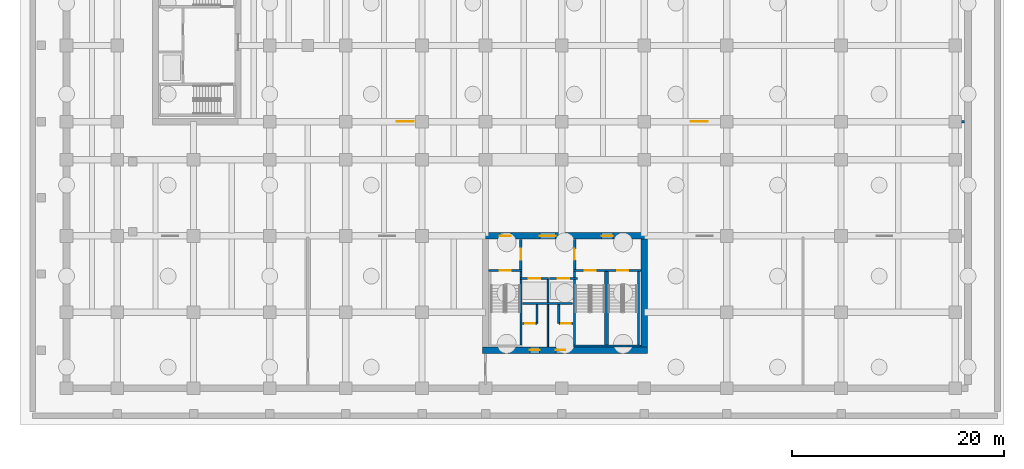
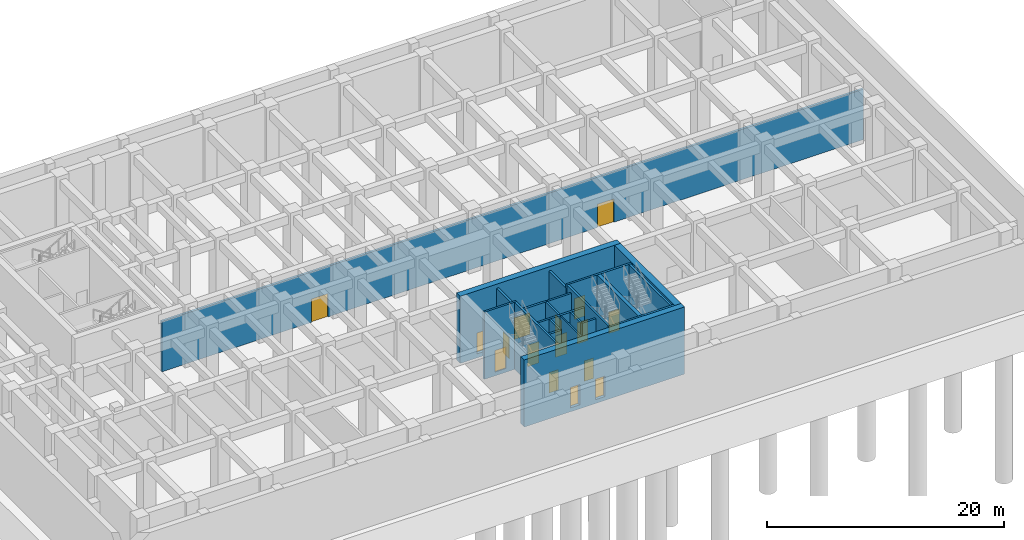
# One storey, part 6 of 13: 22 walls, 16 doors, 16 openings.
"""IFC4 building model written with IfcOpenShell, lengths in metres."""

from ifc_helpers import new_model, si_unit, derived_unit, direction, frame, frame_2d, origin, place, context, subcontext, project, spatial, rectangle, extrude, source, transform, mapped, material, layer, layer_set, type_object, type_shapes, element, fill, save


model = new_model("IFC4")

# Units and contexts
model_context = context("Model", 3, precision=1e-05, world=origin(), true_north=direction((0.0, 1.0)))
body_context = subcontext(model_context, "Body", "Model", "MODEL_VIEW")
ifc_project = project(units=[si_unit("LENGTHUNIT", "METRE"), si_unit("AREAUNIT", "SQUARE_METRE"), si_unit("VOLUMEUNIT", "CUBIC_METRE"), si_unit("PLANEANGLEUNIT", "RADIAN"), si_unit("MASSUNIT", "GRAM", prefix="KILO"), si_unit("THERMODYNAMICTEMPERATUREUNIT", "KELVIN"), si_unit("POWERUNIT", "WATT"), derived_unit("THERMALTRANSMITTANCEUNIT", [(si_unit("POWERUNIT", "WATT"), 1), (si_unit("AREAUNIT", "SQUARE_METRE"), -1), (si_unit("THERMODYNAMICTEMPERATUREUNIT", "KELVIN"), -1)])], contexts=[model_context])

# Site, building, storey
site_placement = place(None, origin())
site = spatial("IfcSite", under=ifc_project, at=site_placement, CompositionType="ELEMENT")
building_placement = place(site_placement, origin())
building = spatial("IfcBuilding", under=site, at=building_placement, Name="Zahravan Archway Hotel and Residences", CompositionType="ELEMENT")
storey_placement = place(building_placement, frame((0.0, 0.0, -13.0)))
storey = spatial("IfcBuildingStorey", under=building, at=storey_placement, Name="B02", CompositionType="ELEMENT", Elevation=-13.0)

# Wall, openings, doors
ifc_material_1 = material(Name="Concrete C70/85", Category="concrete")
ifc_layer_1 = layer(ifc_material_1, 0.60009765625, Name="Concrete C70/85", Category="concrete")
ifc_layer_set_1 = layer_set([ifc_layer_1], Name="Concrete C70/85")
wall_type_1 = type_object("IfcWallType", Name="CW-CORE-600", PredefinedType="SHEAR", material=ifc_layer_set_1)
wall_1_placement = place(storey_placement, frame((34.5, 3.60009765625, -0.39990234375), z_axis=(0.0, 0.0, 1.0), x_axis=(1.0, 0.0, 0.0)))
wall_1 = element("IfcWall", 1, at=wall_1_placement, inside=storey, type_object=wall_type_1, Name="B02 Core A Shear S Wall 600 mm", PredefinedType="SHEAR", context=body_context, shape_type="SweptSolid", body=[
    extrude(rectangle(XDim=15.60009765625, YDim=0.60009765625, at=frame_2d((7.800048828125, 0.0))), origin(), (0.0, 0.0, 1.0), 6.89990234375),
])
opening_1_placement = place(wall_1_placement, frame((4.5, 0.0, 0.39990234375)))
opening_1 = element("IfcOpeningElement", 2, at=opening_1_placement, cuts=wall_1, Name="Opening FD-R1", PredefinedType="OPENING", context=body_context, shape_type="SweptSolid", body=[
    extrude(rectangle(XDim=0.89990234375, YDim=2.10009765625, at=frame_2d((0.449951171875, 1.050048828125))), frame((0.0, 0.31005859375, 0.0), z_axis=(0.0, -1.0, 0.0), x_axis=(1.0, 0.0, 0.0)), (0.0, 0.0, 1.0), 0.6201171875),
])
opening_2_placement = place(wall_1_placement, frame((6.949951171875, 0.0, 0.39990234375)))
opening_2 = element("IfcOpeningElement", 3, at=opening_2_placement, cuts=wall_1, Name="Opening FD-R1", PredefinedType="OPENING", context=body_context, shape_type="SweptSolid", body=[
    extrude(rectangle(XDim=0.89990234375, YDim=2.10009765625, at=frame_2d((0.449951171875, 1.050048828125))), frame((0.0, 0.31005859375, 0.0), z_axis=(0.0, -1.0, 0.0), x_axis=(1.0, 0.0, 0.0)), (0.0, 0.0, 1.0), 0.6201171875),
])
ifc_material_2 = material(Name="Fire-Rated Painted Steel", Category="steel")
door_type_1 = type_object("IfcDoorType", Name="FD-RISER-900", OperationType="NOTDEFINED", PredefinedType="DOOR", material=ifc_material_2)
shared_shape_1 = source(origin(), body_context, "Body", "SweptSolid", [
    extrude(rectangle(XDim=0.89990234375, YDim=2.10009765625, at=frame_2d((0.449951171875, 1.050048828125))), frame((0.0, 0.02490234375, 0.0), z_axis=(0.0, -1.0, 0.0), x_axis=(1.0, 0.0, 0.0)), (0.0, 0.0, 1.0), 0.050048828125),
])
type_shapes(door_type_1, [shared_shape_1])
door_1_placement = place(opening_1_placement, origin())
door_1 = element("IfcDoor", 4, at=door_1_placement, inside=storey, type_object=door_type_1, Name="B02 Electrical Switchgear Door", OperationType="SINGLE_SWING_LEFT", OverallHeight=2.10009765625, OverallWidth=0.89990234375, PredefinedType="DOOR", context=body_context, shape_type="MappedRepresentation", body=[
    mapped(shared_shape_1, transform((0.0, 0.0, 0.0), scale=1.0)),
])
fill(opening_1, door_1)
door_2_placement = place(opening_2_placement, origin())
door_2 = element("IfcDoor", 5, at=door_2_placement, inside=storey, type_object=door_type_1, Name="B02 Telecom BMS Door", OperationType="SINGLE_SWING_RIGHT", OverallHeight=2.10009765625, OverallWidth=0.89990234375, PredefinedType="DOOR", context=body_context, shape_type="MappedRepresentation", body=[
    mapped(shared_shape_1, transform((0.0, 0.0, 0.0), scale=1.0)),
])
fill(opening_2, door_2)

wall_2_placement = place(storey_placement, frame((34.5, 14.39990234375, -0.39990234375), z_axis=(0.0, 0.0, 1.0), x_axis=(1.0, 0.0, 0.0)))
wall_2 = element("IfcWall", 6, at=wall_2_placement, inside=storey, type_object=wall_type_1, Name="B02 Core A Shear N Wall 600 mm", PredefinedType="SHEAR", context=body_context, shape_type="SweptSolid", body=[
    extrude(rectangle(XDim=15.60009765625, YDim=0.60009765625, at=frame_2d((7.800048828125, 0.0))), origin(), (0.0, 0.0, 1.0), 6.89990234375),
])
opening_3_placement = place(wall_2_placement, frame((5.429931640625, 0.0, 0.39990234375)))
opening_3 = element("IfcOpeningElement", 7, at=opening_3_placement, cuts=wall_2, Name="Opening FD-L1", PredefinedType="OPENING", context=body_context, shape_type="SweptSolid", body=[
    extrude(rectangle(XDim=1.5, YDim=2.199951171875, at=frame_2d((0.75, 1.10009765625))), frame((0.0, 0.31005859375, 0.0), z_axis=(0.0, -1.0, 0.0), x_axis=(1.0, 0.0, 0.0)), (0.0, 0.0, 1.0), 0.6201171875),
])
opening_4_placement = place(wall_2_placement, frame((1.64501953125, 0.0, 0.39990234375)))
opening_4 = element("IfcOpeningElement", 8, at=opening_4_placement, cuts=wall_2, Name="Opening FD-L2", PredefinedType="OPENING", context=body_context, shape_type="SweptSolid", body=[
    extrude(rectangle(XDim=1.050048828125, YDim=2.14990234375, at=frame_2d((0.52490234375, 1.074951171875))), frame((0.0, 0.31005859375, 0.0), z_axis=(0.0, -1.0, 0.0), x_axis=(1.0, 0.0, 0.0)), (0.0, 0.0, 1.0), 0.6201171875),
])
opening_5_placement = place(wall_2_placement, frame((11.27490234375, 0.0, 0.39990234375)))
opening_5 = element("IfcOpeningElement", 9, at=opening_5_placement, cuts=wall_2, Name="Opening FD-L2", PredefinedType="OPENING", context=body_context, shape_type="SweptSolid", body=[
    extrude(rectangle(XDim=1.050048828125, YDim=2.14990234375, at=frame_2d((0.52490234375, 1.074951171875))), frame((0.0, 0.31005859375, 0.0), z_axis=(0.0, -1.0, 0.0), x_axis=(1.0, 0.0, 0.0)), (0.0, 0.0, 1.0), 0.6201171875),
])
door_type_2 = type_object("IfcDoorType", Name="FD-LOBBY-1100", OperationType="NOTDEFINED", PredefinedType="DOOR", material=ifc_material_2)
shared_shape_2 = source(origin(), body_context, "Body", "SweptSolid", [
    extrude(rectangle(XDim=1.050048828125, YDim=2.14990234375, at=frame_2d((0.52490234375, 1.074951171875))), frame((0.0, 0.02490234375, 0.0), z_axis=(0.0, -1.0, 0.0), x_axis=(1.0, 0.0, 0.0)), (0.0, 0.0, 1.0), 0.050048828125),
])
type_shapes(door_type_2, [shared_shape_2])
door_3_placement = place(opening_4_placement, origin())
door_3 = element("IfcDoor", 10, at=door_3_placement, inside=storey, type_object=door_type_2, Name="B02 Core A West Stair Lobby Door", OperationType="SINGLE_SWING_LEFT", OverallHeight=2.14990234375, OverallWidth=1.050048828125, PredefinedType="DOOR", context=body_context, shape_type="MappedRepresentation", body=[
    mapped(shared_shape_2, transform((0.0, 0.0, 0.0), scale=1.0)),
])
fill(opening_4, door_3)
door_4_placement = place(opening_5_placement, origin())
door_4 = element("IfcDoor", 11, at=door_4_placement, inside=storey, type_object=door_type_2, Name="B02 Core A East Stair Lobby Door", OperationType="SINGLE_SWING_RIGHT", OverallHeight=2.14990234375, OverallWidth=1.050048828125, PredefinedType="DOOR", context=body_context, shape_type="MappedRepresentation", body=[
    mapped(shared_shape_2, transform((0.0, 0.0, 0.0), scale=1.0)),
])
fill(opening_5, door_4)
door_type_3 = type_object("IfcDoorType", Name="FD-LOBBY-1500", OperationType="DOUBLE_DOOR_SINGLE_SWING", PredefinedType="DOOR", material=ifc_material_2)
shared_shape_3 = source(origin(), body_context, "Body", "SweptSolid", [
    extrude(rectangle(XDim=1.5, YDim=2.199951171875, at=frame_2d((0.75, 1.10009765625))), frame((0.0, 0.02490234375, 0.0), z_axis=(0.0, -1.0, 0.0), x_axis=(1.0, 0.0, 0.0)), (0.0, 0.0, 1.0), 0.050048828125),
])
type_shapes(door_type_3, [shared_shape_3])
door_5_placement = place(opening_3_placement, origin())
door_5 = element("IfcDoor", 12, at=door_5_placement, inside=storey, type_object=door_type_3, Name="B02 Core A FSAE Lobby Main Door", OperationType="DOUBLE_DOOR_SINGLE_SWING", OverallHeight=2.199951171875, OverallWidth=1.5, PredefinedType="DOOR", context=body_context, shape_type="MappedRepresentation", body=[
    mapped(shared_shape_3, transform((0.0, 0.0, 0.0), scale=1.0)),
])
fill(opening_3, door_5)

# Wall
wall_3_placement = place(storey_placement, frame((49.800048828125, 3.89990234375, -0.39990234375), z_axis=(0.0, 0.0, 1.0), x_axis=(0.0, 1.0, 0.0)))
element("IfcWall", 13, at=wall_3_placement, inside=storey, type_object=wall_type_1, Name="B02 Core A Shear E Wall 600 mm", PredefinedType="SHEAR", context=body_context, shape_type="SweptSolid", body=[
    extrude(rectangle(XDim=10.2001953125, YDim=0.60009765625, at=frame_2d((5.10009765625, 0.0))), origin(), (0.0, 0.0, 1.0), 6.89990234375),
])

# Wall, opening, door
ifc_material_3 = material(Name="Fire-Rated Gypsum & Concrete Block", Category="concrete")
ifc_layer_2 = layer(ifc_material_3, 0.219970703125, Name="Fire-Rated Gypsum & Concrete Block", Category="concrete")
ifc_layer_set_2 = layer_set([ifc_layer_2], Name="Fire-Rated Gypsum & Concrete Block")
wall_type_2 = type_object("IfcWallType", Name="PW-COMP-220", PredefinedType="PARTITIONING", material=ifc_layer_set_2)
wall_4_placement = place(storey_placement, frame((38.139892578125, 11.219970703125, 0.0), z_axis=(0.0, 0.0, 1.0), x_axis=(0.0, 1.0, 0.0)))
wall_4 = element("IfcWall", 14, at=wall_4_placement, inside=storey, type_object=wall_type_2, Name="B02 Partition CA-LOBW", PredefinedType="PARTITIONING", context=body_context, shape_type="SweptSolid", body=[
    extrude(rectangle(XDim=2.860107421875, YDim=0.219970703125, at=frame_2d((1.43017578125, 0.0))), origin(), (0.0, 0.0, 1.0), 6.10009765625),
])
opening_6_placement = place(wall_4_placement, frame((0.905029296875, 0.0, 0.0)))
opening_6 = element("IfcOpeningElement", 15, at=opening_6_placement, cuts=wall_4, Name="Opening FD-L2", PredefinedType="OPENING", context=body_context, shape_type="SweptSolid", body=[
    extrude(rectangle(XDim=1.050048828125, YDim=2.14990234375, at=frame_2d((0.52490234375, 1.074951171875))), frame((0.0, 0.1201171875, 0.0), z_axis=(0.0, -1.0, 0.0), x_axis=(1.0, 0.0, 0.0)), (0.0, 0.0, 1.0), 0.239990234375),
])
door_6_placement = place(opening_6_placement, origin())
door_6 = element("IfcDoor", 16, at=door_6_placement, inside=storey, type_object=door_type_2, Name="B02 Core A West Stair to FSAE Lobby Door", OperationType="SINGLE_SWING_LEFT", OverallHeight=2.14990234375, OverallWidth=1.050048828125, PredefinedType="DOOR", context=body_context, shape_type="MappedRepresentation", body=[
    mapped(shared_shape_2, transform((0.0, 0.0, 0.0), scale=1.0)),
])
fill(opening_6, door_6)

wall_5_placement = place(storey_placement, frame((43.219970703125, 11.219970703125, 0.0), z_axis=(0.0, 0.0, 1.0), x_axis=(0.0, 1.0, 0.0)))
wall_5 = element("IfcWall", 17, at=wall_5_placement, inside=storey, type_object=wall_type_2, Name="B02 Partition CA-LOBE", PredefinedType="PARTITIONING", context=body_context, shape_type="SweptSolid", body=[
    extrude(rectangle(XDim=2.860107421875, YDim=0.219970703125, at=frame_2d((1.43017578125, 0.0))), origin(), (0.0, 0.0, 1.0), 6.10009765625),
])
opening_7_placement = place(wall_5_placement, frame((0.905029296875, 0.0, 0.0)))
opening_7 = element("IfcOpeningElement", 18, at=opening_7_placement, cuts=wall_5, Name="Opening FD-L2", PredefinedType="OPENING", context=body_context, shape_type="SweptSolid", body=[
    extrude(rectangle(XDim=1.050048828125, YDim=2.14990234375, at=frame_2d((0.52490234375, 1.074951171875))), frame((0.0, 0.1201171875, 0.0), z_axis=(0.0, -1.0, 0.0), x_axis=(1.0, 0.0, 0.0)), (0.0, 0.0, 1.0), 0.239990234375),
])
door_7_placement = place(opening_7_placement, origin())
door_7 = element("IfcDoor", 19, at=door_7_placement, inside=storey, type_object=door_type_2, Name="B02 Core A East Stair to FSAE Lobby Door", OperationType="SINGLE_SWING_RIGHT", OverallHeight=2.14990234375, OverallWidth=1.050048828125, PredefinedType="DOOR", context=body_context, shape_type="MappedRepresentation", body=[
    mapped(shared_shape_2, transform((0.0, 0.0, 0.0), scale=1.0)),
])
fill(opening_7, door_7)

# Wall, openings, doors
wall_6_placement = place(storey_placement, frame((11.840087890625, 25.199951171875, 0.0), z_axis=(0.0, 0.0, 1.0), x_axis=(1.0, 0.0, 0.0)))
wall_6 = element("IfcWall", 20, at=wall_6_placement, inside=storey, type_object=wall_type_2, Name="B02 Partition B2-PLAT", PredefinedType="PARTITIONING", context=body_context, shape_type="SweptSolid", body=[
    extrude(rectangle(XDim=68.226806640625, YDim=0.219970703125, at=frame_2d((34.11328125, 0.0))), origin(), (0.0, 0.0, 1.0), 5.18505859375),
])
opening_8_placement = place(wall_6_placement, frame((14.564697265625, 0.0, 0.0)))
opening_8 = element("IfcOpeningElement", 21, at=opening_8_placement, cuts=wall_6, Name="Opening D-P2", PredefinedType="OPENING", context=body_context, shape_type="SweptSolid", body=[
    extrude(rectangle(XDim=1.60009765625, YDim=2.39990234375, at=frame_2d((0.800048828125, 1.199951171875))), frame((0.0, 0.1201171875, 0.0), z_axis=(0.0, -1.0, 0.0), x_axis=(1.0, 0.0, 0.0)), (0.0, 0.0, 1.0), 0.239990234375),
])
opening_9_placement = place(wall_6_placement, frame((42.360107421875, 0.0, 0.0)))
opening_9 = element("IfcOpeningElement", 22, at=opening_9_placement, cuts=wall_6, Name="Opening D-P2", PredefinedType="OPENING", context=body_context, shape_type="SweptSolid", body=[
    extrude(rectangle(XDim=1.60009765625, YDim=2.39990234375, at=frame_2d((0.800048828125, 1.199951171875))), frame((0.0, 0.1201171875, 0.0), z_axis=(0.0, -1.0, 0.0), x_axis=(1.0, 0.0, 0.0)), (0.0, 0.0, 1.0), 0.239990234375),
])
ifc_material_4 = material(Name="Bronze-Anodized Glazed Aluminium", Category="aluminium")
door_type_4 = type_object("IfcDoorType", Name="ID-PUBLIC-1600", OperationType="DOUBLE_DOOR_SINGLE_SWING", PredefinedType="DOOR", material=ifc_material_4)
shared_shape_4 = source(origin(), body_context, "Body", "SweptSolid", [
    extrude(rectangle(XDim=1.60009765625, YDim=2.39990234375, at=frame_2d((0.800048828125, 1.199951171875))), frame((0.0, 0.02490234375, 0.0), z_axis=(0.0, -1.0, 0.0), x_axis=(1.0, 0.0, 0.0)), (0.0, 0.0, 1.0), 0.050048828125),
])
type_shapes(door_type_4, [shared_shape_4])
door_8_placement = place(opening_8_placement, origin())
door_8 = element("IfcDoor", 23, at=door_8_placement, inside=storey, type_object=door_type_4, Name="B02 Metro Platform West Doors", OperationType="DOUBLE_DOOR_SINGLE_SWING", OverallHeight=2.39990234375, OverallWidth=1.60009765625, PredefinedType="DOOR", context=body_context, shape_type="MappedRepresentation", body=[
    mapped(shared_shape_4, transform((0.0, 0.0, 0.0), scale=1.0)),
])
fill(opening_8, door_8)
door_9_placement = place(opening_9_placement, origin())
door_9 = element("IfcDoor", 24, at=door_9_placement, inside=storey, type_object=door_type_4, Name="B02 Metro Platform East Doors", OperationType="DOUBLE_DOOR_SINGLE_SWING", OverallHeight=2.39990234375, OverallWidth=1.60009765625, PredefinedType="DOOR", context=body_context, shape_type="MappedRepresentation", body=[
    mapped(shared_shape_4, transform((0.0, 0.0, 0.0), scale=1.0)),
])
fill(opening_9, door_9)

# Walls
ifc_layer_3 = layer(ifc_material_3, 0.199951171875, Name="Fire-Rated Gypsum & Concrete Block", Category="concrete")
ifc_layer_set_3 = layer_set([ifc_layer_3], Name="Fire-Rated Gypsum & Concrete Block")
wall_type_3 = type_object("IfcWallType", Name="PW-SHAFT-200", PredefinedType="PARTITIONING", material=ifc_layer_set_3)
wall_7_placement = place(storey_placement, frame((38.300048828125, 8.030029296875, 0.0), z_axis=(0.0, 0.0, 1.0), x_axis=(1.0, 0.0, 0.0)))
element("IfcWall", 25, at=wall_7_placement, inside=storey, type_object=wall_type_3, Name="B02 Partition CA-FLS", PredefinedType="PARTITIONING", context=body_context, shape_type="SweptSolid", body=[
    extrude(rectangle(XDim=4.739990234375, YDim=0.199951171875, at=frame_2d((2.3701171875, 0.0))), origin(), (0.0, 0.0, 1.0), 6.10009765625),
])
wall_8_placement = place(storey_placement, frame((40.699951171875, 8.1201171875, 0.0), z_axis=(0.0, 0.0, 1.0), x_axis=(0.0, 1.0, 0.0)))
element("IfcWall", 26, at=wall_8_placement, inside=storey, type_object=wall_type_3, Name="B02 Partition CA-FLM", PredefinedType="PARTITIONING", context=body_context, shape_type="SweptSolid", body=[
    extrude(rectangle(XDim=2.179931640625, YDim=0.199951171875, at=frame_2d((1.08984375, 0.0))), origin(), (0.0, 0.0, 1.0), 6.10009765625),
])

# Wall, opening, door
wall_9_placement = place(storey_placement, frame((38.2900390625, 6.1201171875, 0.0), z_axis=(0.0, 0.0, 1.0), x_axis=(1.0, 0.0, 0.0)))
wall_9 = element("IfcWall", 27, at=wall_9_placement, inside=storey, type_object=wall_type_3, Name="B02 Partition CA-SMKS", PredefinedType="PARTITIONING", context=body_context, shape_type="SweptSolid", body=[
    extrude(rectangle(XDim=1.3798828125, YDim=0.199951171875, at=frame_2d((0.68994140625, 0.0))), origin(), (0.0, 0.0, 1.0), 6.10009765625),
])
opening_10_placement = place(wall_9_placement, frame((0.239990234375, 0.0, 0.0)))
opening_10 = element("IfcOpeningElement", 28, at=opening_10_placement, cuts=wall_9, Name="Opening FD-R1", PredefinedType="OPENING", context=body_context, shape_type="SweptSolid", body=[
    extrude(rectangle(XDim=0.89990234375, YDim=2.10009765625, at=frame_2d((0.449951171875, 1.050048828125))), frame((0.0, 0.10986328125, 0.0), z_axis=(0.0, -1.0, 0.0), x_axis=(1.0, 0.0, 0.0)), (0.0, 0.0, 1.0), 0.219970703125),
])
door_10_placement = place(opening_10_placement, origin())
door_10 = element("IfcDoor", 29, at=door_10_placement, inside=storey, type_object=door_type_1, Name="B02 Smoke Riser Access Door", OperationType="SINGLE_SWING_LEFT", OverallHeight=2.10009765625, OverallWidth=0.89990234375, PredefinedType="DOOR", context=body_context, shape_type="MappedRepresentation", body=[
    mapped(shared_shape_1, transform((0.0, 0.0, 0.0), scale=1.0)),
])
fill(opening_10, door_10)

# Wall
wall_10_placement = place(storey_placement, frame((39.679931640625, 6.1298828125, 0.0), z_axis=(0.0, 0.0, 1.0), x_axis=(0.0, 1.0, 0.0)))
element("IfcWall", 30, at=wall_10_placement, inside=storey, type_object=wall_type_3, Name="B02 Partition CA-SMKE", PredefinedType="PARTITIONING", context=body_context, shape_type="SweptSolid", body=[
    extrude(rectangle(XDim=1.7900390625, YDim=0.199951171875, at=frame_2d((0.89501953125, 0.0))), origin(), (0.0, 0.0, 1.0), 6.10009765625),
])

# Wall, opening, door
wall_11_placement = place(storey_placement, frame((41.72998046875, 6.1201171875, 0.0), z_axis=(0.0, 0.0, 1.0), x_axis=(1.0, 0.0, 0.0)))
wall_11 = element("IfcWall", 31, at=wall_11_placement, inside=storey, type_object=wall_type_3, Name="B02 Partition CA-MEPS", PredefinedType="PARTITIONING", context=body_context, shape_type="SweptSolid", body=[
    extrude(rectangle(XDim=1.320068359375, YDim=0.199951171875, at=frame_2d((0.66015625, 0.0))), origin(), (0.0, 0.0, 1.0), 6.10009765625),
])
opening_11_placement = place(wall_11_placement, frame((0.219970703125, 0.0, 0.0)))
opening_11 = element("IfcOpeningElement", 32, at=opening_11_placement, cuts=wall_11, Name="Opening FD-R1", PredefinedType="OPENING", context=body_context, shape_type="SweptSolid", body=[
    extrude(rectangle(XDim=0.89990234375, YDim=2.10009765625, at=frame_2d((0.449951171875, 1.050048828125))), frame((0.0, 0.10986328125, 0.0), z_axis=(0.0, -1.0, 0.0), x_axis=(1.0, 0.0, 0.0)), (0.0, 0.0, 1.0), 0.219970703125),
])
door_11_placement = place(opening_11_placement, origin())
door_11 = element("IfcDoor", 33, at=door_11_placement, inside=storey, type_object=door_type_1, Name="B02 MEP Riser Access Door", OperationType="SINGLE_SWING_RIGHT", OverallHeight=2.10009765625, OverallWidth=0.89990234375, PredefinedType="DOOR", context=body_context, shape_type="MappedRepresentation", body=[
    mapped(shared_shape_1, transform((0.0, 0.0, 0.0), scale=1.0)),
])
fill(opening_11, door_11)

# Wall
wall_12_placement = place(storey_placement, frame((41.719970703125, 6.1298828125, 0.0), z_axis=(0.0, 0.0, 1.0), x_axis=(0.0, 1.0, 0.0)))
element("IfcWall", 34, at=wall_12_placement, inside=storey, type_object=wall_type_3, Name="B02 Partition CA-MEPW", PredefinedType="PARTITIONING", context=body_context, shape_type="SweptSolid", body=[
    extrude(rectangle(XDim=1.7900390625, YDim=0.199951171875, at=frame_2d((0.89501953125, 0.0))), origin(), (0.0, 0.0, 1.0), 6.10009765625),
])

# Wall, opening, door
wall_13_placement = place(storey_placement, frame((38.1201171875, 10.3701171875, 0.0), z_axis=(0.0, 0.0, 1.0), x_axis=(1.0, 0.0, 0.0)))
wall_13 = element("IfcWall", 35, at=wall_13_placement, inside=storey, type_object=wall_type_3, Name="B02 Lift FL-1 Front Wall", PredefinedType="PARTITIONING", context=body_context, shape_type="SweptSolid", body=[
    extrude(rectangle(XDim=2.639892578125, YDim=0.199951171875, at=frame_2d((1.31982421875, 0.0))), origin(), (0.0, 0.0, 1.0), 6.10009765625),
])
opening_12_placement = place(wall_13_placement, frame((0.77001953125, 0.0, 0.0)))
opening_12 = element("IfcOpeningElement", 36, at=opening_12_placement, cuts=wall_13, Name="Opening LD", PredefinedType="OPENING", context=body_context, shape_type="SweptSolid", body=[
    extrude(rectangle(XDim=1.10009765625, YDim=2.199951171875, at=frame_2d((0.550048828125, 1.10009765625))), frame((0.0, 0.10986328125, 0.0), z_axis=(0.0, -1.0, 0.0), x_axis=(1.0, 0.0, 0.0)), (0.0, 0.0, 1.0), 0.219970703125),
])
ifc_material_5 = material(Name="Brushed Stainless Steel", Category="steel")
door_type_5 = type_object("IfcDoorType", Name="DR-LIFT-LD", OperationType="SLIDING_TO_LEFT", PredefinedType="DOOR", material=ifc_material_5)
shared_shape_5 = source(origin(), body_context, "Body", "SweptSolid", [
    extrude(rectangle(XDim=1.10009765625, YDim=2.199951171875, at=frame_2d((0.550048828125, 1.10009765625))), frame((0.0, 0.02490234375, 0.0), z_axis=(0.0, -1.0, 0.0), x_axis=(1.0, 0.0, 0.0)), (0.0, 0.0, 1.0), 0.050048828125),
])
type_shapes(door_type_5, [shared_shape_5])
door_12_placement = place(opening_12_placement, origin())
door_12 = element("IfcDoor", 37, at=door_12_placement, inside=storey, type_object=door_type_5, Name="B02 Lift FL-1 Sliding Landing Door", OperationType="SLIDING_TO_LEFT", OverallHeight=2.199951171875, OverallWidth=1.10009765625, PredefinedType="DOOR", context=body_context, shape_type="MappedRepresentation", body=[
    mapped(shared_shape_5, transform((0.0, 0.0, 0.0), scale=1.0)),
])
fill(opening_12, door_12)

wall_14_placement = place(storey_placement, frame((40.840087890625, 10.3701171875, 0.0), z_axis=(0.0, 0.0, 1.0), x_axis=(1.0, 0.0, 0.0)))
wall_14 = element("IfcWall", 38, at=wall_14_placement, inside=storey, type_object=wall_type_3, Name="B02 Lift FL-2 Front Wall", PredefinedType="PARTITIONING", context=body_context, shape_type="SweptSolid", body=[
    extrude(rectangle(XDim=2.639892578125, YDim=0.199951171875, at=frame_2d((1.31982421875, 0.0))), origin(), (0.0, 0.0, 1.0), 6.10009765625),
])
opening_13_placement = place(wall_14_placement, frame((0.77001953125, 0.0, 0.0)))
opening_13 = element("IfcOpeningElement", 39, at=opening_13_placement, cuts=wall_14, Name="Opening LD", PredefinedType="OPENING", context=body_context, shape_type="SweptSolid", body=[
    extrude(rectangle(XDim=1.10009765625, YDim=2.199951171875, at=frame_2d((0.550048828125, 1.10009765625))), frame((0.0, 0.10986328125, 0.0), z_axis=(0.0, -1.0, 0.0), x_axis=(1.0, 0.0, 0.0)), (0.0, 0.0, 1.0), 0.219970703125),
])
door_13_placement = place(opening_13_placement, origin())
door_13 = element("IfcDoor", 40, at=door_13_placement, inside=storey, type_object=door_type_5, Name="B02 Lift FL-2 Sliding Landing Door", OperationType="SLIDING_TO_LEFT", OverallHeight=2.199951171875, OverallWidth=1.10009765625, PredefinedType="DOOR", context=body_context, shape_type="MappedRepresentation", body=[
    mapped(shared_shape_5, transform((0.0, 0.0, 0.0), scale=1.0)),
])
fill(opening_13, door_13)

# Walls
ifc_material_6 = material(Name="Moisture-Resistant Blockwork", Category="masonry")
ifc_layer_4 = layer(ifc_material_6, 0.139892578125, Name="Moisture-Resistant Blockwork", Category="masonry")
ifc_layer_set_4 = layer_set([ifc_layer_4], Name="Moisture-Resistant Blockwork")
wall_type_4 = type_object("IfcWallType", Name="PW-WET-140", PredefinedType="PARTITIONING", material=ifc_layer_set_4)
wall_15_placement = place(storey_placement, frame((40.699951171875, 3.919921875, 0.0), z_axis=(0.0, 0.0, 1.0), x_axis=(0.0, 1.0, 0.0)))
element("IfcWall", 41, at=wall_15_placement, inside=storey, type_object=wall_type_4, Name="B02 Partition CA-CV0", PredefinedType="PARTITIONING", context=body_context, shape_type="SweptSolid", body=[
    extrude(rectangle(XDim=3.989990234375, YDim=0.139892578125, at=frame_2d((1.9951171875, 0.0))), origin(), (0.0, 0.0, 1.0), 6.10009765625),
])
ifc_material_7 = material(Name="Concrete C50/60", Category="concrete")
ifc_layer_5 = layer(ifc_material_7, 0.199951171875, Name="Concrete C50/60", Category="concrete")
ifc_layer_set_5 = layer_set([ifc_layer_5], Name="Concrete C50/60")
wall_type_5 = type_object("IfcWallType", Name="SW-STAIR-200", PredefinedType="SHEAR", material=ifc_layer_set_5)
wall_16_placement = place(storey_placement, frame((38.139892578125, 4.10009765625, -0.39990234375), z_axis=(0.0, 0.0, 1.0), x_axis=(0.0, 1.0, 0.0)))
element("IfcWall", 42, at=wall_16_placement, inside=storey, type_object=wall_type_5, Name="B02 Stairwell RC Wall CA-SA1E", PredefinedType="SHEAR", context=body_context, shape_type="SweptSolid", body=[
    extrude(rectangle(XDim=6.949951171875, YDim=0.199951171875, at=frame_2d((3.47509765625, 0.0))), origin(), (0.0, 0.0, 1.0), 6.89990234375),
])

# Wall, opening, door
wall_17_placement = place(storey_placement, frame((35.10009765625, 11.14990234375, -0.39990234375), z_axis=(0.0, 0.0, 1.0), x_axis=(1.0, 0.0, 0.0)))
wall_17 = element("IfcWall", 43, at=wall_17_placement, inside=storey, type_object=wall_type_5, Name="B02 Stairwell RC Wall CA-SA1N", PredefinedType="SHEAR", context=body_context, shape_type="SweptSolid", body=[
    extrude(rectangle(XDim=3.139892578125, YDim=0.199951171875, at=frame_2d((1.56982421875, 0.0))), origin(), (0.0, 0.0, 1.0), 6.89990234375),
])
opening_14_placement = place(wall_17_placement, frame((1.044921875, 0.0, 0.39990234375)))
opening_14 = element("IfcOpeningElement", 44, at=opening_14_placement, cuts=wall_17, Name="Opening FD-S1", PredefinedType="OPENING", context=body_context, shape_type="SweptSolid", body=[
    extrude(rectangle(XDim=1.050048828125, YDim=2.199951171875, at=frame_2d((0.52490234375, 1.10009765625))), frame((0.0, 0.10986328125, 0.0), z_axis=(0.0, -1.0, 0.0), x_axis=(1.0, 0.0, 0.0)), (0.0, 0.0, 1.0), 0.219970703125),
])
door_type_6 = type_object("IfcDoorType", Name="FD-STAIR-1100", OperationType="NOTDEFINED", PredefinedType="DOOR", material=ifc_material_2)
shared_shape_6 = source(origin(), body_context, "Body", "SweptSolid", [
    extrude(rectangle(XDim=1.050048828125, YDim=2.199951171875, at=frame_2d((0.52490234375, 1.10009765625))), frame((0.0, 0.02490234375, 0.0), z_axis=(0.0, -1.0, 0.0), x_axis=(1.0, 0.0, 0.0)), (0.0, 0.0, 1.0), 0.050048828125),
])
type_shapes(door_type_6, [shared_shape_6])
door_14_placement = place(opening_14_placement, origin())
door_14 = element("IfcDoor", 45, at=door_14_placement, inside=storey, type_object=door_type_6, Name="B02 Stair ST-A1 Door", OperationType="SINGLE_SWING_RIGHT", OverallHeight=2.199951171875, OverallWidth=1.050048828125, PredefinedType="DOOR", context=body_context, shape_type="MappedRepresentation", body=[
    mapped(shared_shape_6, transform((0.0, 0.0, 0.0), scale=1.0)),
])
fill(opening_14, door_14)

# Walls
wall_18_placement = place(storey_placement, frame((43.1201171875, 4.0, -0.39990234375), z_axis=(0.0, 0.0, 1.0), x_axis=(1.0, 0.0, 0.0)))
element("IfcWall", 46, at=wall_18_placement, inside=storey, type_object=wall_type_5, Name="B02 Stairwell RC Wall CA-SA23S", PredefinedType="SHEAR", context=body_context, shape_type="SweptSolid", body=[
    extrude(rectangle(XDim=6.3798828125, YDim=0.199951171875, at=frame_2d((3.18994140625, 0.0))), origin(), (0.0, 0.0, 1.0), 6.89990234375),
])
for number, where, z_axis, x_axis, name in (
    (47, (43.219970703125, 4.10009765625, -0.39990234375), (0.0, 0.0, 1.0), (0.0, 1.0, 0.0), "B02 Stairwell RC Wall CA-SA2W"),
    (48, (49.239990234375, 4.10009765625, -0.39990234375), (0.0, 0.0, 1.0), (0.0, 1.0, 0.0), "B02 Stairwell RC Wall CA-SA3E"),
):
    element("IfcWall", number, at=place(storey_placement, frame(where, z_axis=z_axis, x_axis=x_axis)), inside=storey, type_object=wall_type_5, Name=name, PredefinedType="SHEAR", context=body_context, shape_type="SweptSolid", body=[
        extrude(rectangle(XDim=6.949951171875, YDim=0.199951171875, at=frame_2d((3.47509765625, 0.0))), origin(), (0.0, 0.0, 1.0), 6.89990234375),
    ])

# Wall, openings, doors
wall_19_placement = place(storey_placement, frame((43.1201171875, 11.14990234375, -0.39990234375), z_axis=(0.0, 0.0, 1.0), x_axis=(1.0, 0.0, 0.0)))
wall_19 = element("IfcWall", 49, at=wall_19_placement, inside=storey, type_object=wall_type_5, Name="B02 Stairwell RC Wall CA-SA23N", PredefinedType="SHEAR", context=body_context, shape_type="SweptSolid", body=[
    extrude(rectangle(XDim=6.3798828125, YDim=0.199951171875, at=frame_2d((3.18994140625, 0.0))), origin(), (0.0, 0.0, 1.0), 6.89990234375),
])
opening_15_placement = place(wall_19_placement, frame((1.044921875, 0.0, 0.39990234375)))
opening_15 = element("IfcOpeningElement", 50, at=opening_15_placement, cuts=wall_19, Name="Opening FD-S1", PredefinedType="OPENING", context=body_context, shape_type="SweptSolid", body=[
    extrude(rectangle(XDim=1.050048828125, YDim=2.199951171875, at=frame_2d((0.52490234375, 1.10009765625))), frame((0.0, 0.10986328125, 0.0), z_axis=(0.0, -1.0, 0.0), x_axis=(1.0, 0.0, 0.0)), (0.0, 0.0, 1.0), 0.219970703125),
])
opening_16_placement = place(wall_19_placement, frame((4.125, 0.0, 0.39990234375)))
opening_16 = element("IfcOpeningElement", 51, at=opening_16_placement, cuts=wall_19, Name="Opening FD-S1", PredefinedType="OPENING", context=body_context, shape_type="SweptSolid", body=[
    extrude(rectangle(XDim=1.050048828125, YDim=2.199951171875, at=frame_2d((0.52490234375, 1.10009765625))), frame((0.0, 0.10986328125, 0.0), z_axis=(0.0, -1.0, 0.0), x_axis=(1.0, 0.0, 0.0)), (0.0, 0.0, 1.0), 0.219970703125),
])
door_15_placement = place(opening_15_placement, origin())
door_15 = element("IfcDoor", 52, at=door_15_placement, inside=storey, type_object=door_type_6, Name="B02 Stair ST-A2 Door", OperationType="SINGLE_SWING_LEFT", OverallHeight=2.199951171875, OverallWidth=1.050048828125, PredefinedType="DOOR", context=body_context, shape_type="MappedRepresentation", body=[
    mapped(shared_shape_6, transform((0.0, 0.0, 0.0), scale=1.0)),
])
fill(opening_15, door_15)
door_16_placement = place(opening_16_placement, origin())
door_16 = element("IfcDoor", 53, at=door_16_placement, inside=storey, type_object=door_type_6, Name="B02 Stair ST-A3 Door", OperationType="SINGLE_SWING_RIGHT", OverallHeight=2.199951171875, OverallWidth=1.050048828125, PredefinedType="DOOR", context=body_context, shape_type="MappedRepresentation", body=[
    mapped(shared_shape_6, transform((0.0, 0.0, 0.0), scale=1.0)),
])
fill(opening_16, door_16)

# Wall
ifc_layer_6 = layer(ifc_material_7, 0.340087890625, Name="Concrete C50/60", Category="concrete")
ifc_layer_set_6 = layer_set([ifc_layer_6], Name="Concrete C50/60")
wall_type_6 = type_object("IfcWallType", Name="SW-STAIR-340", PredefinedType="SHEAR", material=ifc_layer_set_6)
wall_20_placement = place(storey_placement, frame((46.22998046875, 4.10009765625, -0.39990234375), z_axis=(0.0, 0.0, 1.0), x_axis=(0.0, 1.0, 0.0)))
element("IfcWall", 54, at=wall_20_placement, inside=storey, type_object=wall_type_6, Name="B02 Stairwell RC Wall CA-SA23M", PredefinedType="SHEAR", context=body_context, shape_type="SweptSolid", body=[
    extrude(rectangle(XDim=6.949951171875, YDim=0.340087890625, at=frame_2d((3.47509765625, 0.0))), origin(), (0.0, 0.0, 1.0), 6.89990234375),
])

save(model, "model.ifc")
